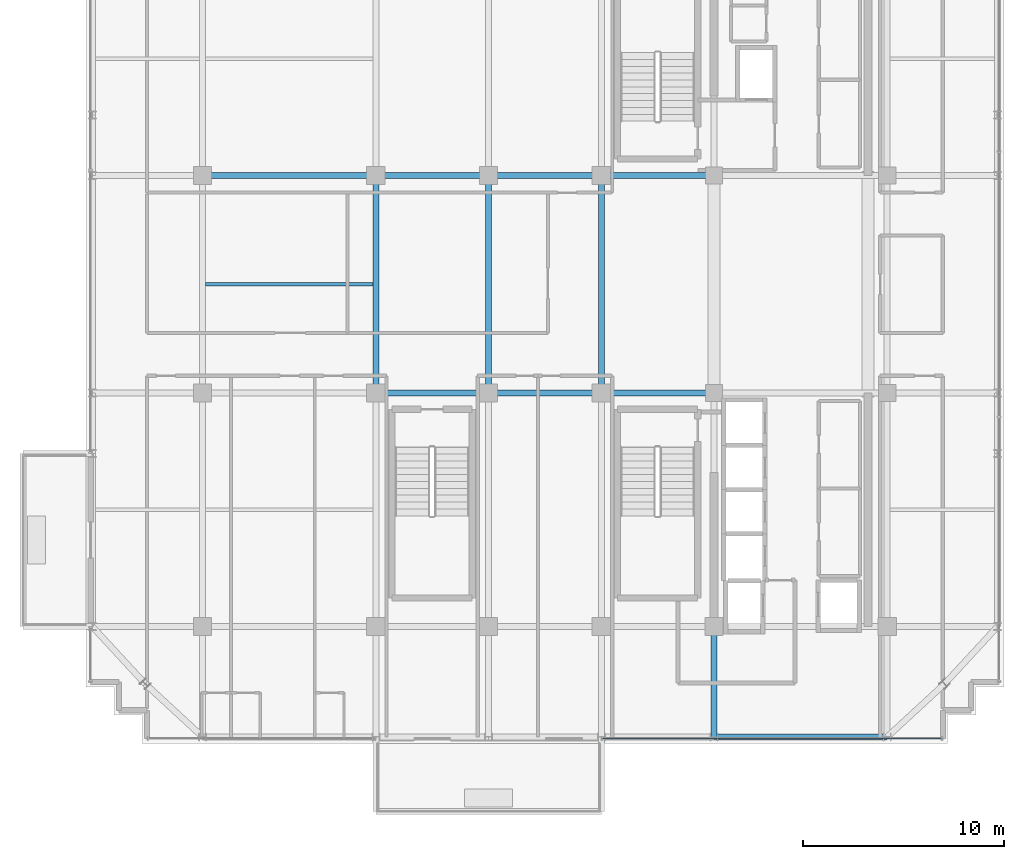
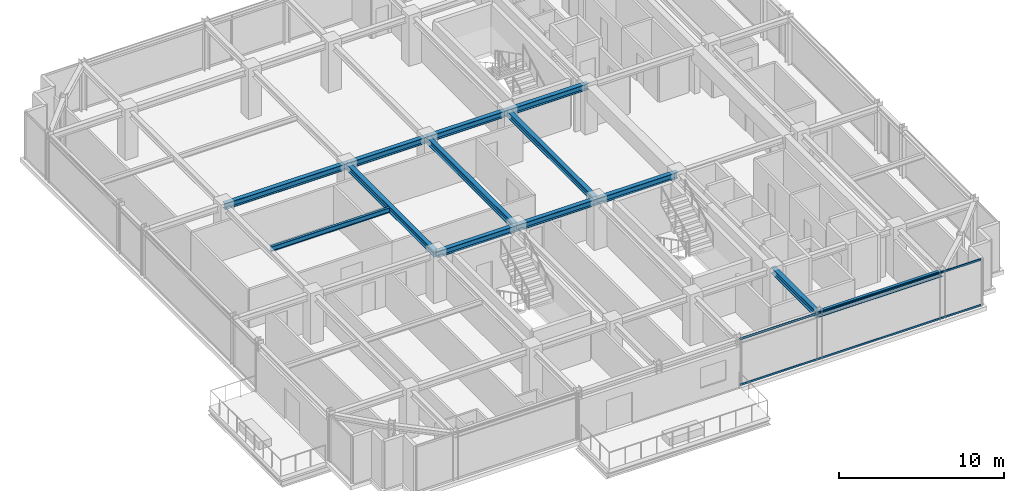
# One storey, part 11 of 31: 13 beams, 2 members, 1 element without a shape of its own.
"""IFC4 building model written with IfcOpenShell, lengths in metres."""

from ifc_helpers import new_model, si_unit, direction, frame, origin, origin_2d, place, context, subcontext, project, spatial, hollow_rectangle, i_section, extrude, source, transform, mapped, material, material_profile, profile_set, type_object, element, aggregate, save


model = new_model("IFC4")

# Units and contexts
model_context = context("Model", 3, precision=1e-05, world=origin(), true_north=direction((0.0, 1.0)))
body_context = subcontext(model_context, "Body", "Model", "MODEL_VIEW")
ifc_project = project(units=[si_unit("LENGTHUNIT", "METRE"), si_unit("AREAUNIT", "SQUARE_METRE"), si_unit("VOLUMEUNIT", "CUBIC_METRE"), si_unit("PLANEANGLEUNIT", "RADIAN"), si_unit("MASSUNIT", "GRAM", prefix="KILO")], contexts=[model_context])

# Site, building, storey
site_placement = place(None, origin())
site = spatial("IfcSite", under=ifc_project, at=site_placement, CompositionType="ELEMENT")
building_placement = place(site_placement, origin())
building = spatial("IfcBuilding", under=site, at=building_placement, Name="Nahalor Promenade Grand Hotel", CompositionType="ELEMENT")
storey_placement = place(building_placement, frame((0.0, 0.0, 323.35009765625)))
storey = spatial("IfcBuildingStorey", under=building, at=storey_placement, Name="L83", CompositionType="ELEMENT", Elevation=323.35009765625)

# Beams
ifc_material_1 = material(Name="Steel S355JR", Category="steel")
ifc_material_profile_1 = material_profile(ifc_material_1, i_section(OverallWidth=0.3, OverallDepth=0.45, WebThickness=0.014, FlangeThickness=0.026, at=origin_2d()), Name="HEB 450")
ifc_profile_set_1 = profile_set([ifc_material_profile_1], Name="Steel S355JR")
beam_type_1 = type_object("IfcBeamType", Name="Beam-Girder-HEB450", PredefinedType="BEAM", material=ifc_profile_set_1)
shared_shape_1 = source(origin(), body_context, "Body", "SweptSolid", [
    extrude(i_section(OverallWidth=0.3, OverallDepth=0.45, WebThickness=0.014, FlangeThickness=0.026, at=origin_2d()), origin(), (0.0, 0.0, 1.0), 8.60009765625),
])
beam_1_placement = place(storey_placement, frame((-17.0, 5.39990234375, 3.27490234375), z_axis=(1.0, 0.0, 0.0), x_axis=(0.0, 1.0, 0.0)))
element("IfcBeam", 1, at=beam_1_placement, inside=storey, type_object=beam_type_1, Name="BM-L83-GX-2-1", PredefinedType="BEAM", context=body_context, shape_type="MappedRepresentation", body=[
    mapped(shared_shape_1, transform((0.0, 0.0, 0.0), scale=1.0)),
])
shared_shape_2 = source(origin(), body_context, "Body", "SweptSolid", [
    extrude(i_section(OverallWidth=0.3, OverallDepth=0.45, WebThickness=0.014, FlangeThickness=0.026, at=origin_2d()), origin(), (0.0, 0.0, 1.0), 5.599853515625),
])
for number, where, z_axis, x_axis, name in (
    (2, (-8.39990234375, -5.39990234375, 3.27490234375), (1.0, 0.0, 0.0), (0.0, 1.0, 0.0), "BM-L83-GX-1-2"),
    (3, (2.800048828125, -5.39990234375, 3.27490234375), (1.0, 0.0, 0.0), (0.0, 1.0, 0.0), "BM-L83-GX-1-4"),
    (4, (-8.39990234375, 5.39990234375, 3.27490234375), (1.0, 0.0, 0.0), (0.0, 1.0, 0.0), "BM-L83-GX-2-2"),
    (5, (2.800048828125, 5.39990234375, 3.27490234375), (1.0, 0.0, 0.0), (0.0, 1.0, 0.0), "BM-L83-GX-2-4"),
):
    element("IfcBeam", number, at=place(storey_placement, frame(where, z_axis=z_axis, x_axis=x_axis)), inside=storey, type_object=beam_type_1, Name=name, PredefinedType="BEAM", context=body_context, shape_type="MappedRepresentation", body=[
        mapped(shared_shape_2, transform((0.0, 0.0, 0.0), scale=1.0)),
    ])
shared_shape_3 = source(origin(), body_context, "Body", "SweptSolid", [
    extrude(i_section(OverallWidth=0.3, OverallDepth=0.45, WebThickness=0.014, FlangeThickness=0.026, at=origin_2d()), origin(), (0.0, 0.0, 1.0), 5.60009765625),
])
for number, where, z_axis, x_axis, name in (
    (6, (-2.800048828125, -5.39990234375, 3.27490234375), (1.0, 0.0, 0.0), (0.0, 1.0, 0.0), "BM-L83-GX-1-3"),
    (7, (-2.800048828125, 5.39990234375, 3.27490234375), (1.0, 0.0, 0.0), (0.0, 1.0, 0.0), "BM-L83-GX-2-3"),
):
    element("IfcBeam", number, at=place(storey_placement, frame(where, z_axis=z_axis, x_axis=x_axis)), inside=storey, type_object=beam_type_1, Name=name, PredefinedType="BEAM", context=body_context, shape_type="MappedRepresentation", body=[
        mapped(shared_shape_3, transform((0.0, 0.0, 0.0), scale=1.0)),
    ])
shared_shape_4 = source(origin(), body_context, "Body", "SweptSolid", [
    extrude(i_section(OverallWidth=0.3, OverallDepth=0.45, WebThickness=0.014, FlangeThickness=0.026, at=origin_2d()), origin(), (0.0, 0.0, 1.0), 10.7998046875),
])
for number, where, z_axis, x_axis, name in (
    (8, (-8.39990234375, -5.39990234375, 3.27490234375), (0.0, 1.0, 0.0), (-1.0, 0.0, 0.0), "BM-L83-GY-1-2"),
    (9, (-2.800048828125, -5.39990234375, 3.27490234375), (0.0, 1.0, 0.0), (-1.0, 0.0, 0.0), "BM-L83-GY-2-2"),
    (10, (2.800048828125, -5.39990234375, 3.27490234375), (0.0, 1.0, 0.0), (-1.0, 0.0, 0.0), "BM-L83-GY-3-2"),
):
    element("IfcBeam", number, at=place(storey_placement, frame(where, z_axis=z_axis, x_axis=x_axis)), inside=storey, type_object=beam_type_1, Name=name, PredefinedType="BEAM", context=body_context, shape_type="MappedRepresentation", body=[
        mapped(shared_shape_4, transform((0.0, 0.0, 0.0), scale=1.0)),
    ])
shared_shape_5 = source(origin(), body_context, "Body", "SweptSolid", [
    extrude(i_section(OverallWidth=0.3, OverallDepth=0.45, WebThickness=0.014, FlangeThickness=0.026, at=origin_2d()), origin(), (0.0, 0.0, 1.0), 5.47998046875),
])
beam_2_placement = place(storey_placement, frame((8.39990234375, -22.47998046875, 3.27490234375), z_axis=(0.0, 1.0, 0.0), x_axis=(-1.0, 0.0, 0.0)))
element("IfcBeam", 11, at=beam_2_placement, inside=storey, type_object=beam_type_1, Name="BM-L83-GY-4-0", PredefinedType="BEAM", context=body_context, shape_type="MappedRepresentation", body=[
    mapped(shared_shape_5, transform((0.0, 0.0, 0.0), scale=1.0)),
])
ifc_material_profile_2 = material_profile(ifc_material_1, i_section(OverallWidth=0.3, OverallDepth=0.36, WebThickness=0.0125, FlangeThickness=0.0225, at=origin_2d()), Name="HEB 360")
ifc_profile_set_2 = profile_set([ifc_material_profile_2], Name="Steel S355JR")
beam_type_2 = type_object("IfcBeamType", Name="Beam-Spandrel-HEB360", PredefinedType="SPANDREL", material=ifc_profile_set_2)
shared_shape_6 = source(origin(), body_context, "Body", "SweptSolid", [
    extrude(i_section(OverallWidth=0.3, OverallDepth=0.36, WebThickness=0.0125, FlangeThickness=0.0225, at=origin_2d()), origin(), (0.0, 0.0, 1.0), 8.60009765625),
])
beam_3_placement = place(storey_placement, frame((8.39990234375, -22.47998046875, 3.31982421875), z_axis=(1.0, 0.0, 0.0), x_axis=(0.0, 1.0, 0.0)))
element("IfcBeam", 12, at=beam_3_placement, inside=storey, type_object=beam_type_2, Name="BM-L83-SP-S-4", PredefinedType="SPANDREL", context=body_context, shape_type="MappedRepresentation", body=[
    mapped(shared_shape_6, transform((0.0, 0.0, 0.0), scale=1.0)),
])
ifc_material_profile_3 = material_profile(ifc_material_1, i_section(OverallWidth=0.17, OverallDepth=0.36, WebThickness=0.008, FlangeThickness=0.0127, at=origin_2d()), Name="IPE 360")
ifc_profile_set_3 = profile_set([ifc_material_profile_3], Name="Steel S355JR")
beam_type_3 = type_object("IfcBeamType", Name="Beam-Joist-IPE360", PredefinedType="JOIST", material=ifc_profile_set_3)
shared_shape_7 = source(origin(), body_context, "Body", "SweptSolid", [
    extrude(i_section(OverallWidth=0.17, OverallDepth=0.36, WebThickness=0.008, FlangeThickness=0.0127, at=origin_2d()), origin(), (0.0, 0.0, 1.0), 8.300048828125),
])
beam_4_placement = place(storey_placement, frame((-16.85009765625, 0.0, 3.31982421875), z_axis=(1.0, 0.0, 0.0), x_axis=(0.0, 1.0, 0.0)))
element("IfcBeam", 13, at=beam_4_placement, inside=storey, type_object=beam_type_3, Name="BM-L83-JSC-0", PredefinedType="JOIST", context=body_context, shape_type="MappedRepresentation", body=[
    mapped(shared_shape_7, transform((0.0, 0.0, 0.0), scale=1.0)),
])

# Curtain wall, members
ifc_material_2 = material(Name="Anodised Bronze Aluminium EN AW-6063 T6", Category="aluminium")
curtain_wall_type = type_object("IfcCurtainWallType", Name="CW2 Typical Hotel Flush Bronze Unitised Curtain Wall", PredefinedType="USERDEFINED", material=ifc_material_2)
curtain_wall_placement = place(storey_placement, origin())
curtain_wall = element("IfcCurtainWall", 14, at=curtain_wall_placement, inside=storey, type_object=curtain_wall_type, Name="L83 Curtain Wall CW-L83-S-3", ObjectType="UNITISED_CURTAIN_WALL", PredefinedType="USERDEFINED")
ifc_material_profile_4 = material_profile(ifc_material_2, hollow_rectangle(XDim=0.065, YDim=0.13, WallThickness=0.004, at=origin_2d()), Name="CWT 65x130x4")
ifc_profile_set_4 = profile_set([ifc_material_profile_4], Name="Anodised Bronze Aluminium EN AW-6063 T6")
member_type = type_object("IfcMemberType", Name="CWT2 Typical Bronze Transom 65x130", PredefinedType="USERDEFINED", material=ifc_profile_set_4)
shared_shape_8 = source(origin(), body_context, "Body", "SweptSolid", [
    extrude(hollow_rectangle(XDim=0.065, YDim=0.13, WallThickness=0.004, at=origin_2d()), origin(), (0.0, 0.0, 1.0), 16.830078125),
])
member_1_placement = place(storey_placement, frame((2.864990234375, -22.56005859375, 0.06494140625), z_axis=(1.0, 0.0, 0.0), x_axis=(0.0, 1.0, 0.0)))
member_1 = element("IfcMember", 15, at=member_1_placement, type_object=member_type, Name="CW-L83-S-3 Transom 0-0", ObjectType="TRANSOM", PredefinedType="USERDEFINED", context=body_context, shape_type="MappedRepresentation", body=[
    mapped(shared_shape_8, transform((0.0, 0.0, 0.0), scale=1.0)),
])
member_2_placement = place(storey_placement, frame((2.864990234375, -22.56005859375, 3.434814453125), z_axis=(1.0, 0.0, 0.0), x_axis=(0.0, 1.0, 0.0)))
member_2 = element("IfcMember", 16, at=member_2_placement, type_object=member_type, Name="CW-L83-S-3 Transom 0-1", ObjectType="TRANSOM", PredefinedType="USERDEFINED", context=body_context, shape_type="MappedRepresentation", body=[
    mapped(shared_shape_8, transform((0.0, 0.0, 0.0), scale=1.0)),
])
aggregate(curtain_wall, [member_1, member_2])

save(model, "model.ifc")
